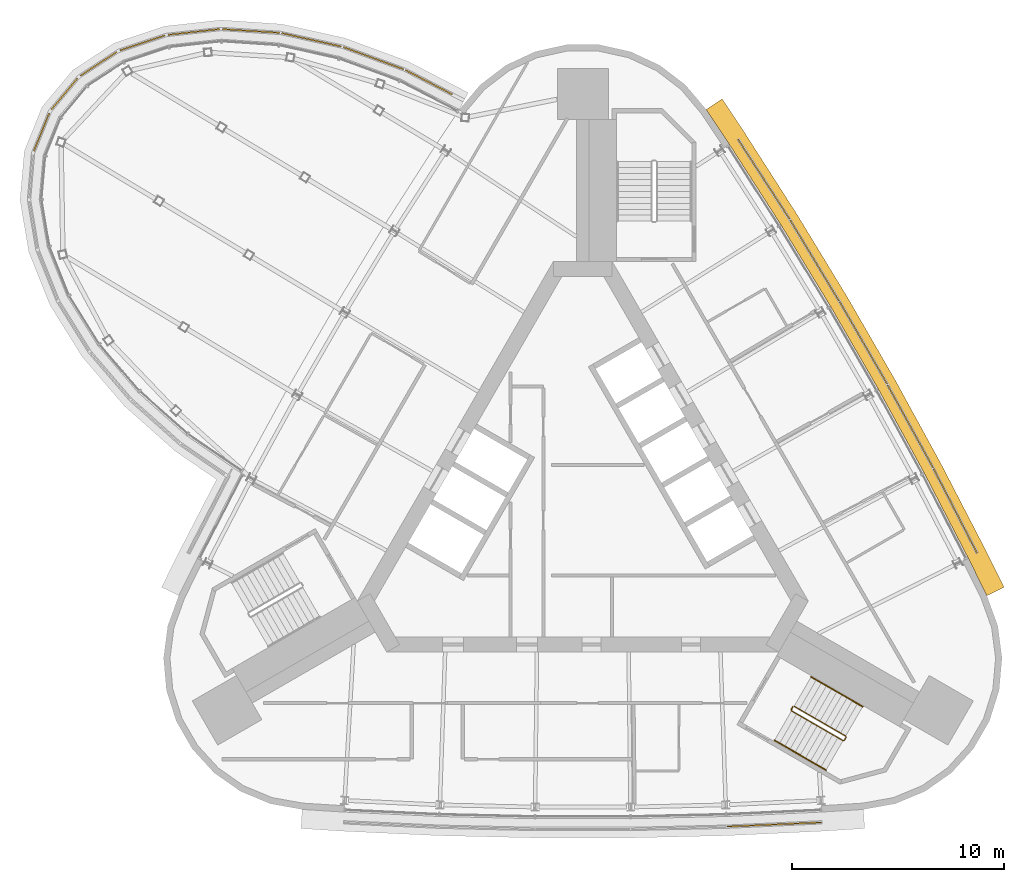
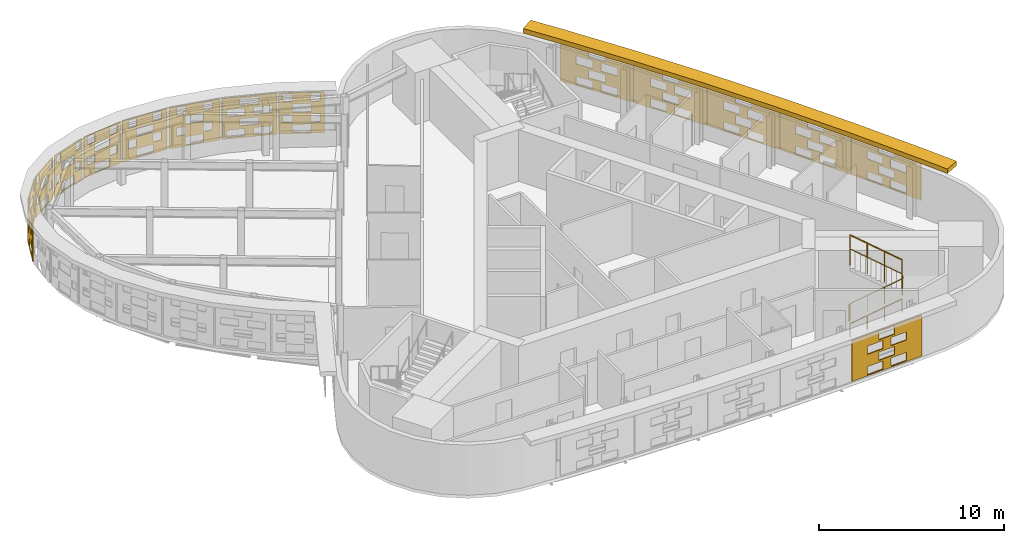
# One storey, part 13 of 13: 16 shading devices, 3 railings.
"""IFC4 building model written with IfcOpenShell, lengths in metres."""

from ifc_helpers import new_model, si_unit, direction, frame, origin, origin_2d, place, context, subcontext, project, spatial, polyline, circle, outline, extrude, material, layer, layer_set, material_profile, profile_set, type_object, element, save


model = new_model("IFC4")

# Units and contexts
model_context = context("Model", 3, precision=1e-05, world=origin(), true_north=direction((0.0, 1.0)))
body_context = subcontext(model_context, "Body", "Model", "MODEL_VIEW")
ifc_project = project(units=[si_unit("LENGTHUNIT", "METRE"), si_unit("AREAUNIT", "SQUARE_METRE"), si_unit("VOLUMEUNIT", "CUBIC_METRE"), si_unit("PLANEANGLEUNIT", "RADIAN"), si_unit("MASSUNIT", "GRAM", prefix="KILO")], contexts=[model_context])

# Site, building, storey
site_placement = place(None, origin())
site = spatial("IfcSite", under=ifc_project, at=site_placement, CompositionType="ELEMENT")
building_placement = place(site_placement, origin())
building = spatial("IfcBuilding", under=site, at=building_placement, Name="Noor Cloister Tower", CompositionType="ELEMENT")
storey_placement = place(building_placement, frame((0.0, 0.0, 270.60009765625)))
storey = spatial("IfcBuildingStorey", under=building, at=storey_placement, Name="L69", CompositionType="ELEMENT", Elevation=270.60009765625)

# Shading devices
ifc_material_1 = material(Name="Limestone", Category="masonry")
ifc_material_profile = material_profile(ifc_material_1, outline(polyline([(-2.22998046875, -1.35009765625), (2.22998046875, -1.35009765625), (2.22998046875, 1.35009765625), (-2.22998046875, 1.35009765625), (-2.22998046875, -1.35009765625)]), holes=[polyline([(-1.25, -1.282470703125), (-0.25, -1.282470703125), (-0.25, -0.742431640625), (-1.25, -0.742431640625), (-1.25, -1.282470703125)]), polyline([(0.25, -1.282470703125), (1.25, -1.282470703125), (1.25, -0.742431640625), (0.25, -0.742431640625), (0.25, -1.282470703125)]), polyline([(-0.5, -0.607421875), (0.5, -0.607421875), (0.5, -0.0673828125), (-0.5, -0.0673828125), (-0.5, -0.607421875)]), polyline([(-1.25, 0.0673828125), (-0.25, 0.0673828125), (-0.25, 0.607421875), (-1.25, 0.607421875), (-1.25, 0.0673828125)]), polyline([(0.25, 0.0673828125), (1.25, 0.0673828125), (1.25, 0.607421875), (0.25, 0.607421875), (0.25, 0.0673828125)]), polyline([(-0.5, 0.742431640625), (0.5, 0.742431640625), (0.5, 1.282470703125), (-0.5, 1.282470703125), (-0.5, 0.742431640625)])]), Name="Woven screen 35 percent open")
ifc_profile_set = profile_set([ifc_material_profile], Name="Limestone")
shading_device_type_1 = type_object("IfcShadingDeviceType", Name="SCREEN woven limestone 35 percent open", PredefinedType="USERDEFINED", material=ifc_profile_set)
shading_device_1_placement = place(storey_placement, frame((9.01708984375, -15.014404296875, 1.849853515625), z_axis=(0.044852774233, -0.998993607909, 0.0), x_axis=(0.998993607909, 0.044852774233, 0.0)))
element("IfcShadingDevice", 1, at=shading_device_1_placement, inside=storey, type_object=shading_device_type_1, Name="SCREEN L69 5", ObjectType="SCREEN", PredefinedType="USERDEFINED", context=body_context, shape_type="SweptSolid", body=[
    extrude(outline(polyline([(-2.22998046875, -1.35009765625), (2.22998046875, -1.35009765625), (2.22998046875, 1.35009765625), (-2.22998046875, 1.35009765625), (-2.22998046875, -1.35009765625)]), holes=[polyline([(-1.25, -1.282470703125), (-0.25, -1.282470703125), (-0.25, -0.742431640625), (-1.25, -0.742431640625), (-1.25, -1.282470703125)]), polyline([(0.25, -1.282470703125), (1.25, -1.282470703125), (1.25, -0.742431640625), (0.25, -0.742431640625), (0.25, -1.282470703125)]), polyline([(-0.5, -0.607421875), (0.5, -0.607421875), (0.5, -0.0673828125), (-0.5, -0.0673828125), (-0.5, -0.607421875)]), polyline([(-1.25, 0.0673828125), (-0.25, 0.0673828125), (-0.25, 0.607421875), (-1.25, 0.607421875), (-1.25, 0.0673828125)]), polyline([(0.25, 0.0673828125), (1.25, 0.0673828125), (1.25, 0.607421875), (0.25, 0.607421875), (0.25, 0.0673828125)]), polyline([(-0.5, 0.742431640625), (0.5, 0.742431640625), (0.5, 1.282470703125), (-0.5, 1.282470703125), (-0.5, 0.742431640625)])]), origin(), (0.0, 0.0, 1.0), 0.059814453125),
])
shading_device_2_placement = place(storey_placement, frame((17.51123046875, -0.3017578125, 1.849853515625), z_axis=(0.888674000225, 0.458539552628, 0.0), x_axis=(-0.458539552628, 0.888674000225, 0.0)))
element("IfcShadingDevice", 2, at=shading_device_2_placement, inside=storey, type_object=shading_device_type_1, Name="SCREEN L69 1", ObjectType="SCREEN", PredefinedType="USERDEFINED", context=body_context, shape_type="SweptSolid", body=[
    extrude(outline(polyline([(-2.22998046875, -1.35009765625), (2.22998046875, -1.35009765625), (2.22998046875, 1.35009765625), (-2.22998046875, 1.35009765625), (-2.22998046875, -1.35009765625)]), holes=[polyline([(-1.25, -1.282470703125), (-0.25, -1.282470703125), (-0.25, -0.742431640625), (-1.25, -0.742431640625), (-1.25, -1.282470703125)]), polyline([(0.25, -1.282470703125), (1.25, -1.282470703125), (1.25, -0.742431640625), (0.25, -0.742431640625), (0.25, -1.282470703125)]), polyline([(-0.5, -0.607421875), (0.5, -0.607421875), (0.5, -0.0673828125), (-0.5, -0.0673828125), (-0.5, -0.607421875)]), polyline([(-1.25, 0.0673828125), (-0.25, 0.0673828125), (-0.25, 0.607421875), (-1.25, 0.607421875), (-1.25, 0.0673828125)]), polyline([(0.25, 0.0673828125), (1.25, 0.0673828125), (1.25, 0.607421875), (0.25, 0.607421875), (0.25, 0.0673828125)]), polyline([(-0.5, 0.742431640625), (0.5, 0.742431640625), (0.5, 1.282470703125), (-0.5, 1.282470703125), (-0.5, 0.742431640625)])]), origin(), (0.0, 0.0, 1.0), 0.06005859375),
])
shading_device_3_placement = place(storey_placement, frame((15.3935546875, 3.679931640625, 1.849853515625), z_axis=(0.876645997325, 0.481135942718, 0.0), x_axis=(-0.481135942718, 0.876645997325, 0.0)))
element("IfcShadingDevice", 3, at=shading_device_3_placement, inside=storey, type_object=shading_device_type_1, Name="SCREEN L69 2", ObjectType="SCREEN", PredefinedType="USERDEFINED", context=body_context, shape_type="SweptSolid", body=[
    extrude(outline(polyline([(-2.22998046875, -1.35009765625), (2.22998046875, -1.35009765625), (2.22998046875, 1.35009765625), (-2.22998046875, 1.35009765625), (-2.22998046875, -1.35009765625)]), holes=[polyline([(-1.25, -1.282470703125), (-0.25, -1.282470703125), (-0.25, -0.742431640625), (-1.25, -0.742431640625), (-1.25, -1.282470703125)]), polyline([(0.25, -1.282470703125), (1.25, -1.282470703125), (1.25, -0.742431640625), (0.25, -0.742431640625), (0.25, -1.282470703125)]), polyline([(-0.5, -0.607421875), (0.5, -0.607421875), (0.5, -0.0673828125), (-0.5, -0.0673828125), (-0.5, -0.607421875)]), polyline([(-1.25, 0.0673828125), (-0.25, 0.0673828125), (-0.25, 0.607421875), (-1.25, 0.607421875), (-1.25, 0.0673828125)]), polyline([(0.25, 0.0673828125), (1.25, 0.0673828125), (1.25, 0.607421875), (0.25, 0.607421875), (0.25, 0.0673828125)]), polyline([(-0.5, 0.742431640625), (0.5, 0.742431640625), (0.5, 1.282470703125), (-0.5, 1.282470703125), (-0.5, 0.742431640625)])]), origin(), (0.0, 0.0, 1.0), 0.059814453125),
])
shading_device_4_placement = place(storey_placement, frame((13.183837890625, 7.61181640625, 1.849853515625), z_axis=(0.865982457891, 0.500074377092, 0.0), x_axis=(-0.500074377092, 0.865982457891, 0.0)))
element("IfcShadingDevice", 4, at=shading_device_4_placement, inside=storey, type_object=shading_device_type_1, Name="SCREEN L69 3", ObjectType="SCREEN", PredefinedType="USERDEFINED", context=body_context, shape_type="SweptSolid", body=[
    extrude(outline(polyline([(-2.22998046875, -1.35009765625), (2.22998046875, -1.35009765625), (2.22998046875, 1.35009765625), (-2.22998046875, 1.35009765625), (-2.22998046875, -1.35009765625)]), holes=[polyline([(-1.25, -1.282470703125), (-0.25, -1.282470703125), (-0.25, -0.742431640625), (-1.25, -0.742431640625), (-1.25, -1.282470703125)]), polyline([(0.25, -1.282470703125), (1.25, -1.282470703125), (1.25, -0.742431640625), (0.25, -0.742431640625), (0.25, -1.282470703125)]), polyline([(-0.5, -0.607421875), (0.5, -0.607421875), (0.5, -0.0673828125), (-0.5, -0.0673828125), (-0.5, -0.607421875)]), polyline([(-1.25, 0.0673828125), (-0.25, 0.0673828125), (-0.25, 0.607421875), (-1.25, 0.607421875), (-1.25, 0.0673828125)]), polyline([(0.25, 0.0673828125), (1.25, 0.0673828125), (1.25, 0.607421875), (0.25, 0.607421875), (0.25, 0.0673828125)]), polyline([(-0.5, 0.742431640625), (0.5, 0.742431640625), (0.5, 1.282470703125), (-0.5, 1.282470703125), (-0.5, 0.742431640625)])]), origin(), (0.0, 0.0, 1.0), 0.06005859375),
])
for number, where, z_axis, x_axis, name in (
    (5, (10.8837890625, 11.4912109375, 1.849853515625), (0.855690023312, 0.517488728384, 0.0), (-0.517488728384, 0.855690023312, 0.0), "SCREEN L69 4"),
    (6, (8.494384765625, 15.316162109375, 1.849853515625), (0.840116811995, 0.54240551454, 0.0), (-0.54240551454, 0.840116811995, 0.0), "SCREEN L69 5"),
):
    element("IfcShadingDevice", number, at=place(storey_placement, frame(where, z_axis=z_axis, x_axis=x_axis)), inside=storey, type_object=shading_device_type_1, Name=name, ObjectType="SCREEN", PredefinedType="USERDEFINED", context=body_context, shape_type="SweptSolid", body=[
        extrude(outline(polyline([(-2.22998046875, -1.35009765625), (2.22998046875, -1.35009765625), (2.22998046875, 1.35009765625), (-2.22998046875, 1.35009765625), (-2.22998046875, -1.35009765625)]), holes=[polyline([(-1.25, -1.282470703125), (-0.25, -1.282470703125), (-0.25, -0.742431640625), (-1.25, -0.742431640625), (-1.25, -1.282470703125)]), polyline([(0.25, -1.282470703125), (1.25, -1.282470703125), (1.25, -0.742431640625), (0.25, -0.742431640625), (0.25, -1.282470703125)]), polyline([(-0.5, -0.607421875), (0.5, -0.607421875), (0.5, -0.0673828125), (-0.5, -0.0673828125), (-0.5, -0.607421875)]), polyline([(-1.25, 0.0673828125), (-0.25, 0.0673828125), (-0.25, 0.607421875), (-1.25, 0.607421875), (-1.25, 0.0673828125)]), polyline([(0.25, 0.0673828125), (1.25, 0.0673828125), (1.25, 0.607421875), (0.25, 0.607421875), (0.25, 0.0673828125)]), polyline([(-0.5, 0.742431640625), (0.5, 0.742431640625), (0.5, 1.282470703125), (-0.5, 1.282470703125), (-0.5, 0.742431640625)])]), origin(), (0.0, 0.0, 1.0), 0.059814453125),
    ])
ifc_material_2 = material(Name="Limestone", Category="masonry")
ifc_layer = layer(ifc_material_2, 0.06005859375)
ifc_layer_set = layer_set([ifc_layer], Name="SCREEN woven limestone pod 35 percent open")
shading_device_type_2 = type_object("IfcShadingDeviceType", Name="SCREEN woven limestone pod 35 percent open", PredefinedType="USERDEFINED", material=ifc_layer_set)
shading_device_5_placement = place(storey_placement, frame((-7.25634765625, 19.86767578125, 1.849853515625), z_axis=(0.460198285861, 0.887816162103, 0.0), x_axis=(-0.887816162103, 0.460198285861, 0.0)))
element("IfcShadingDevice", 7, at=shading_device_5_placement, inside=storey, type_object=shading_device_type_2, Name="SCREEN L69 1", ObjectType="SCREEN", PredefinedType="USERDEFINED", context=body_context, shape_type="SweptSolid", body=[
    extrude(outline(polyline([(-1.24365234375, -1.35009765625), (1.24365234375, -1.35009765625), (1.24365234375, 1.35009765625), (-1.24365234375, 1.35009765625), (-1.24365234375, -1.35009765625)]), holes=[polyline([(-0.5, -1.282470703125), (0.5, -1.282470703125), (0.5, -0.742431640625), (-0.5, -0.742431640625), (-0.5, -1.282470703125)]), polyline([(-1.0, -0.607421875), (-0.5, -0.607421875), (-0.5, -0.0673828125), (-1.0, -0.0673828125), (-1.0, -0.607421875)]), polyline([(0.5, -0.607421875), (1.0, -0.607421875), (1.0, -0.0673828125), (0.5, -0.0673828125), (0.5, -0.607421875)]), polyline([(-0.5, 0.0673828125), (0.5, 0.0673828125), (0.5, 0.607421875), (-0.5, 0.607421875), (-0.5, 0.0673828125)]), polyline([(-1.0, 0.742431640625), (-0.5, 0.742431640625), (-0.5, 1.282470703125), (-1.0, 1.282470703125), (-1.0, 0.742431640625)]), polyline([(0.5, 0.742431640625), (1.0, 0.742431640625), (1.0, 1.282470703125), (0.5, 1.282470703125), (0.5, 0.742431640625)])]), origin(), (0.0, 0.0, 1.0), 0.06005859375),
])
shading_device_6_placement = place(storey_placement, frame((-9.86279296875, 21.001220703125, 1.849853515625), z_axis=(0.345328788842, 0.938481767323, 0.0), x_axis=(-0.938481767323, 0.345328788842, 0.0)))
element("IfcShadingDevice", 8, at=shading_device_6_placement, inside=storey, type_object=shading_device_type_2, Name="SCREEN L69 2", ObjectType="SCREEN", PredefinedType="USERDEFINED", context=body_context, shape_type="SweptSolid", body=[
    extrude(outline(polyline([(-1.50732421875, -1.35009765625), (1.50732421875, -1.35009765625), (1.50732421875, 1.35009765625), (-1.50732421875, 1.35009765625), (-1.50732421875, -1.35009765625)]), holes=[polyline([(-1.25, -1.25), (-0.25, -1.25), (-0.25, -0.775146484375), (-1.25, -0.775146484375), (-1.25, -1.25)]), polyline([(0.25, -1.25), (1.25, -1.25), (1.25, -0.775146484375), (0.25, -0.775146484375), (0.25, -1.25)]), polyline([(-0.5, -0.574951171875), (0.5, -0.574951171875), (0.5, -0.10009765625), (-0.5, -0.10009765625), (-0.5, -0.574951171875)]), polyline([(-1.25, 0.10009765625), (-0.25, 0.10009765625), (-0.25, 0.574951171875), (-1.25, 0.574951171875), (-1.25, 0.10009765625)]), polyline([(0.25, 0.10009765625), (1.25, 0.10009765625), (1.25, 0.574951171875), (0.25, 0.574951171875), (0.25, 0.10009765625)]), polyline([(-0.5, 0.775146484375), (0.5, 0.775146484375), (0.5, 1.25), (-0.5, 1.25), (-0.5, 0.775146484375)])]), origin(), (0.0, 0.0, 1.0), 0.06005859375),
])
shading_device_7_placement = place(storey_placement, frame((-12.77734375, 21.86279296875, 1.849853515625), z_axis=(0.219512195122, 0.975609756098, 0.0), x_axis=(-0.975609756098, 0.219512195122, 0.0)))
element("IfcShadingDevice", 9, at=shading_device_7_placement, inside=storey, type_object=shading_device_type_2, Name="SCREEN L69 3", ObjectType="SCREEN", PredefinedType="USERDEFINED", context=body_context, shape_type="SweptSolid", body=[
    extrude(outline(polyline([(-1.43798828125, -1.35009765625), (1.43798828125, -1.35009765625), (1.43798828125, 1.35009765625), (-1.43798828125, 1.35009765625), (-1.43798828125, -1.35009765625)]), holes=[polyline([(-0.5, -1.282470703125), (0.5, -1.282470703125), (0.5, -0.742431640625), (-0.5, -0.742431640625), (-0.5, -1.282470703125)]), polyline([(-1.0, -0.607421875), (-0.5, -0.607421875), (-0.5, -0.0673828125), (-1.0, -0.0673828125), (-1.0, -0.607421875)]), polyline([(0.5, -0.607421875), (1.0, -0.607421875), (1.0, -0.0673828125), (0.5, -0.0673828125), (0.5, -0.607421875)]), polyline([(-0.5, 0.0673828125), (0.5, 0.0673828125), (0.5, 0.607421875), (-0.5, 0.607421875), (-0.5, 0.0673828125)]), polyline([(-1.0, 0.742431640625), (-0.5, 0.742431640625), (-0.5, 1.282470703125), (-1.0, 1.282470703125), (-1.0, 0.742431640625)]), polyline([(0.5, 0.742431640625), (1.0, 0.742431640625), (1.0, 1.282470703125), (0.5, 1.282470703125), (0.5, 0.742431640625)])]), origin(), (0.0, 0.0, 1.0), 0.06005859375),
])
shading_device_8_placement = place(storey_placement, frame((-15.626708984375, 22.279541015625, 1.849853515625), z_axis=(0.064903515062, 0.997891544073, 0.0), x_axis=(-0.997891544073, 0.064903515062, 0.0)))
element("IfcShadingDevice", 10, at=shading_device_8_placement, inside=storey, type_object=shading_device_type_2, Name="SCREEN L69 4", ObjectType="SCREEN", PredefinedType="USERDEFINED", context=body_context, shape_type="SweptSolid", body=[
    extrude(outline(polyline([(-1.342041015625, -1.35009765625), (1.342041015625, -1.35009765625), (1.342041015625, 1.35009765625), (-1.342041015625, 1.35009765625), (-1.342041015625, -1.35009765625)]), holes=[polyline([(-0.5, -1.282470703125), (0.5, -1.282470703125), (0.5, -0.742431640625), (-0.5, -0.742431640625), (-0.5, -1.282470703125)]), polyline([(-1.0, -0.607421875), (-0.5, -0.607421875), (-0.5, -0.0673828125), (-1.0, -0.0673828125), (-1.0, -0.607421875)]), polyline([(0.5, -0.607421875), (1.0, -0.607421875), (1.0, -0.0673828125), (0.5, -0.0673828125), (0.5, -0.607421875)]), polyline([(-0.5, 0.0673828125), (0.5, 0.0673828125), (0.5, 0.607421875), (-0.5, 0.607421875), (-0.5, 0.0673828125)]), polyline([(-1.0, 0.742431640625), (-0.5, 0.742431640625), (-0.5, 1.282470703125), (-1.0, 1.282470703125), (-1.0, 0.742431640625)]), polyline([(0.5, 0.742431640625), (1.0, 0.742431640625), (1.0, 1.282470703125), (0.5, 1.282470703125), (0.5, 0.742431640625)])]), origin(), (0.0, 0.0, 1.0), 0.060302734375),
])
shading_device_9_placement = place(storey_placement, frame((-18.307373046875, 22.232421875, 1.849853515625), z_axis=(-0.109984423748, 0.993933310908, 0.0), x_axis=(-0.993933310908, -0.109984423748, 0.0)))
element("IfcShadingDevice", 11, at=shading_device_9_placement, inside=storey, type_object=shading_device_type_2, Name="SCREEN L69 5", ObjectType="SCREEN", PredefinedType="USERDEFINED", context=body_context, shape_type="SweptSolid", body=[
    extrude(outline(polyline([(-1.229736328125, -1.35009765625), (1.229736328125, -1.35009765625), (1.229736328125, 1.35009765625), (-1.229736328125, 1.35009765625), (-1.229736328125, -1.35009765625)]), holes=[polyline([(-0.5, -1.282470703125), (0.5, -1.282470703125), (0.5, -0.742431640625), (-0.5, -0.742431640625), (-0.5, -1.282470703125)]), polyline([(-1.0, -0.607421875), (-0.5, -0.607421875), (-0.5, -0.0673828125), (-1.0, -0.0673828125), (-1.0, -0.607421875)]), polyline([(0.5, -0.607421875), (1.0, -0.607421875), (1.0, -0.0673828125), (0.5, -0.0673828125), (0.5, -0.607421875)]), polyline([(-0.5, 0.0673828125), (0.5, 0.0673828125), (0.5, 0.607421875), (-0.5, 0.607421875), (-0.5, 0.0673828125)]), polyline([(-1.0, 0.742431640625), (-0.5, 0.742431640625), (-0.5, 1.282470703125), (-1.0, 1.282470703125), (-1.0, 0.742431640625)]), polyline([(0.5, 0.742431640625), (1.0, 0.742431640625), (1.0, 1.282470703125), (0.5, 1.282470703125), (0.5, 0.742431640625)])]), origin(), (0.0, 0.0, 1.0), 0.059814453125),
])
shading_device_10_placement = place(storey_placement, frame((-20.720458984375, 21.715576171875, 1.849853515625), z_axis=(-0.317448459736, 0.94827552716, 0.0), x_axis=(-0.94827552716, -0.317448459736, 0.0)))
element("IfcShadingDevice", 12, at=shading_device_10_placement, inside=storey, type_object=shading_device_type_2, Name="SCREEN L69 6", ObjectType="SCREEN", PredefinedType="USERDEFINED", context=body_context, shape_type="SweptSolid", body=[
    extrude(outline(polyline([(-1.1162109375, -1.35009765625), (1.1162109375, -1.35009765625), (1.1162109375, 1.35009765625), (-1.1162109375, 1.35009765625), (-1.1162109375, -1.35009765625)]), holes=[polyline([(-0.5, -1.282470703125), (0.5, -1.282470703125), (0.5, -0.742431640625), (-0.5, -0.742431640625), (-0.5, -1.282470703125)]), polyline([(0.60009765625, -0.607421875), (0.96630859375, -0.607421875), (0.96630859375, -0.0673828125), (0.60009765625, -0.0673828125), (0.60009765625, -0.607421875)]), polyline([(-0.96630859375, -0.607421875), (-0.60009765625, -0.607421875), (-0.60009765625, -0.0673828125), (-0.96630859375, -0.0673828125), (-0.96630859375, -0.607421875)]), polyline([(-0.5, 0.0673828125), (0.5, 0.0673828125), (0.5, 0.607421875), (-0.5, 0.607421875), (-0.5, 0.0673828125)]), polyline([(0.60009765625, 0.742431640625), (0.96630859375, 0.742431640625), (0.96630859375, 1.282470703125), (0.60009765625, 1.282470703125), (0.60009765625, 0.742431640625)]), polyline([(-0.96630859375, 0.742431640625), (-0.60009765625, 0.742431640625), (-0.60009765625, 1.282470703125), (-0.96630859375, 1.282470703125), (-0.96630859375, 0.742431640625)])]), origin(), (0.0, 0.0, 1.0), 0.06005859375),
])
shading_device_11_placement = place(storey_placement, frame((-22.773681640625, 20.7373046875, 1.849853515625), z_axis=(-0.547139346477, 0.837041537521, 0.0), x_axis=(-0.837041537521, -0.547139346477, 0.0)))
element("IfcShadingDevice", 13, at=shading_device_11_placement, inside=storey, type_object=shading_device_type_2, Name="SCREEN L69 7", ObjectType="SCREEN", PredefinedType="USERDEFINED", context=body_context, shape_type="SweptSolid", body=[
    extrude(outline(polyline([(-1.02099609375, -1.35009765625), (1.02099609375, -1.35009765625), (1.02099609375, 1.35009765625), (-1.02099609375, 1.35009765625), (-1.02099609375, -1.35009765625)]), holes=[polyline([(-0.5, -1.282470703125), (0.5, -1.282470703125), (0.5, -0.742431640625), (-0.5, -0.742431640625), (-0.5, -1.282470703125)]), polyline([(0.60009765625, -0.607421875), (0.87109375, -0.607421875), (0.87109375, -0.0673828125), (0.60009765625, -0.0673828125), (0.60009765625, -0.607421875)]), polyline([(-0.87109375, -0.607421875), (-0.60009765625, -0.607421875), (-0.60009765625, -0.0673828125), (-0.87109375, -0.0673828125), (-0.87109375, -0.607421875)]), polyline([(-0.5, 0.0673828125), (0.5, 0.0673828125), (0.5, 0.607421875), (-0.5, 0.607421875), (-0.5, 0.0673828125)]), polyline([(0.60009765625, 0.742431640625), (0.87109375, 0.742431640625), (0.87109375, 1.282470703125), (0.60009765625, 1.282470703125), (0.60009765625, 0.742431640625)]), polyline([(-0.87109375, 0.742431640625), (-0.60009765625, 0.742431640625), (-0.60009765625, 1.282470703125), (-0.87109375, 1.282470703125), (-0.87109375, 0.742431640625)])]), origin(), (0.0, 0.0, 1.0), 0.059814453125),
])
shading_device_12_placement = place(storey_placement, frame((-24.37744140625, 19.324462890625, 1.849853515625), z_axis=(-0.767222138414, 0.641381470209, 0.0), x_axis=(-0.641381470209, -0.767222138414, 0.0)))
element("IfcShadingDevice", 14, at=shading_device_12_placement, inside=storey, type_object=shading_device_type_2, Name="SCREEN L69 8", ObjectType="SCREEN", PredefinedType="USERDEFINED", context=body_context, shape_type="SweptSolid", body=[
    extrude(outline(polyline([(-0.9658203125, -1.35009765625), (0.9658203125, -1.35009765625), (0.9658203125, 1.35009765625), (-0.9658203125, 1.35009765625), (-0.9658203125, -1.35009765625)]), holes=[polyline([(-0.5, -1.282470703125), (0.5, -1.282470703125), (0.5, -0.742431640625), (-0.5, -0.742431640625), (-0.5, -1.282470703125)]), polyline([(0.60009765625, -0.607421875), (0.815673828125, -0.607421875), (0.815673828125, -0.0673828125), (0.60009765625, -0.0673828125), (0.60009765625, -0.607421875)]), polyline([(-0.815673828125, -0.607421875), (-0.60009765625, -0.607421875), (-0.60009765625, -0.0673828125), (-0.815673828125, -0.0673828125), (-0.815673828125, -0.607421875)]), polyline([(-0.5, 0.0673828125), (0.5, 0.0673828125), (0.5, 0.607421875), (-0.5, 0.607421875), (-0.5, 0.0673828125)]), polyline([(0.60009765625, 0.742431640625), (0.815673828125, 0.742431640625), (0.815673828125, 1.282470703125), (0.60009765625, 1.282470703125), (0.60009765625, 0.742431640625)]), polyline([(-0.815673828125, 0.742431640625), (-0.60009765625, 0.742431640625), (-0.60009765625, 1.282470703125), (-0.815673828125, 1.282470703125), (-0.815673828125, 0.742431640625)])]), origin(), (0.0, 0.0, 1.0), 0.06005859375),
])
shading_device_13_placement = place(storey_placement, frame((-25.451416015625, 17.5341796875, 1.849853515625), z_axis=(-0.926777682961, 0.375610338469, 0.0), x_axis=(-0.375610338469, -0.926777682961, 0.0)))
element("IfcShadingDevice", 15, at=shading_device_13_placement, inside=storey, type_object=shading_device_type_2, Name="SCREEN L69 9", ObjectType="SCREEN", PredefinedType="USERDEFINED", context=body_context, shape_type="SweptSolid", body=[
    extrude(outline(polyline([(-0.9658203125, -1.35009765625), (0.9658203125, -1.35009765625), (0.9658203125, 1.35009765625), (-0.9658203125, 1.35009765625), (-0.9658203125, -1.35009765625)]), holes=[polyline([(-0.5, -1.282470703125), (0.5, -1.282470703125), (0.5, -0.742431640625), (-0.5, -0.742431640625), (-0.5, -1.282470703125)]), polyline([(0.60009765625, -0.607421875), (0.815673828125, -0.607421875), (0.815673828125, -0.0673828125), (0.60009765625, -0.0673828125), (0.60009765625, -0.607421875)]), polyline([(-0.815673828125, -0.607421875), (-0.60009765625, -0.607421875), (-0.60009765625, -0.0673828125), (-0.815673828125, -0.0673828125), (-0.815673828125, -0.607421875)]), polyline([(-0.5, 0.0673828125), (0.5, 0.0673828125), (0.5, 0.607421875), (-0.5, 0.607421875), (-0.5, 0.0673828125)]), polyline([(0.60009765625, 0.742431640625), (0.815673828125, 0.742431640625), (0.815673828125, 1.282470703125), (0.60009765625, 1.282470703125), (0.60009765625, 0.742431640625)]), polyline([(-0.815673828125, 0.742431640625), (-0.60009765625, 0.742431640625), (-0.60009765625, 1.282470703125), (-0.815673828125, 1.282470703125), (-0.815673828125, 0.742431640625)])]), origin(), (0.0, 0.0, 1.0), 0.059814453125),
])
ifc_material_3 = material(Name="Limestone", Category="masonry")
shading_device_type_3 = type_object("IfcShadingDeviceType", Name="SUNSHADE limestone band 900", PredefinedType="USERDEFINED", material=ifc_material_3)
shading_device_14_placement = place(storey_placement, frame((0.0, 0.0, 3.2998046875)))
element("IfcShadingDevice", 16, at=shading_device_14_placement, inside=storey, type_object=shading_device_type_3, Name="SUNSHADE L69 3", ObjectType="SUNSHADE", PredefinedType="USERDEFINED", context=body_context, shape_type="SweptSolid", body=[
    extrude(outline(polyline([(19.827392578125, -3.873291015625), (18.947998046875, -2.100341796875), (16.872802734375, 1.91259765625), (14.703857421875, 5.879150390625), (12.443359375, 9.794189453125), (10.0927734375, 13.656005859375), (7.655029296875, 17.45947265625), (6.559326171875, 19.10791015625), (5.809814453125, 18.609619140625), (6.9013671875, 16.967529296875), (9.32958984375, 13.178955078125), (11.669189453125, 9.335205078125), (13.919189453125, 5.438232421875), (16.078125, 1.489990234375), (18.14501953125, -2.507080078125), (19.021240234375, -4.2734375), (19.827392578125, -3.873291015625)])), origin(), (0.0, 0.0, 1.0), 0.300048828125),
])

# Railings
ifc_material_4 = material(Name="Stainless steel", Category="steel")
railing_type_1 = type_object("IfcRailingType", Name="Stair guard 1100", PredefinedType="GUARDRAIL", material=ifc_material_4)
railing_1_placement = place(storey_placement, frame((9.805908203125, -9.628662109375, 0.0)))
element("IfcRailing", 17, at=railing_1_placement, inside=storey, type_object=railing_type_1, Name="Stair guard ST3 L69", PredefinedType="GUARDRAIL", context=body_context, shape_type="SweptSolid", body=[
    extrude(circle(Radius=0.02392578125, at=origin_2d()), frame((0.0, 0.0, 1.076171875), z_axis=(0.499112439033, 0.866537231285, 0.0), x_axis=(-0.866537231285, 0.499112439033, 0.0)), (0.0, 0.0, 1.0), 0.150146484375),
    extrude(circle(Radius=0.02392578125, at=origin_2d()), frame((0.074951171875, 0.130126953125, 1.076171875), z_axis=(-0.215214839654, -0.753251938789, 0.621525614518), x_axis=(0.961523947641, -0.274721127897, 0.0)), (0.0, 0.0, 1.0), 0.26318359375),
    extrude(circle(Radius=0.02392578125, at=origin_2d()), frame((0.018310546875, -0.068115234375, 1.23974609375), z_axis=(0.747693913401, -0.431738279637, 0.504535300807), x_axis=(0.500049511043, 0.865996816683, 0.0)), (0.0, 0.0, 1.0), 3.2431640625),
    extrude(circle(Radius=0.02392578125, at=origin_2d()), frame((2.443115234375, -1.46826171875, 2.8759765625), z_axis=(0.965948051503, 0.258736085224, 0.0), x_axis=(-0.258736085224, 0.965948051503, 0.0)), (0.0, 0.0, 1.0), 0.07080078125),
    extrude(circle(Radius=0.02392578125, at=origin_2d()), frame((2.511474609375, -1.449951171875, 2.8759765625), z_axis=(0.499816412211, 0.866131372301, 0.0), x_axis=(-0.866131372301, 0.499816412211, 0.0)), (0.0, 0.0, 1.0), 0.14990234375),
    extrude(circle(Radius=0.02392578125, at=origin_2d()), frame((2.58642578125, -1.320068359375, 2.8759765625), z_axis=(-0.102608300589, 0.383070988865, 0.918002262601), x_axis=(-0.965948051503, -0.258736085224, 0.0)), (0.0, 0.0, 1.0), 0.178466796875),
    extrude(circle(Radius=0.02392578125, at=origin_2d()), frame((2.568115234375, -1.251708984375, 3.03955078125), z_axis=(-0.74771821388, 0.431677027627, 0.504551698492), x_axis=(-0.49998411664, -0.866034573852, 0.0)), (0.0, 0.0, 1.0), 3.242919921875),
    extrude(circle(Radius=0.02099609375, at=origin_2d()), origin(), (0.0, 0.0, 1.0), 1.052001953125),
    extrude(circle(Radius=0.02099609375, at=origin_2d()), frame((0.074951171875, 0.130126953125, 0.0)), (0.0, 0.0, 1.0), 1.052001953125),
    extrude(circle(Radius=0.02099609375, at=origin_2d()), frame((0.018310546875, -0.068115234375, 0.16357421875)), (0.0, 0.0, 1.0), 1.052001953125),
    extrude(circle(Radius=0.02099609375, at=origin_2d()), frame((0.82666015625, -0.534912109375, 0.708984375)), (0.0, 0.0, 1.0), 1.052001953125),
    extrude(circle(Radius=0.02099609375, at=origin_2d()), frame((1.634765625, -1.00146484375, 1.25439453125)), (0.0, 0.0, 1.0), 1.052001953125),
    extrude(circle(Radius=0.02099609375, at=origin_2d()), frame((2.443115234375, -1.46826171875, 1.7998046875)), (0.0, 0.0, 1.0), 1.052001953125),
    extrude(circle(Radius=0.02099609375, at=origin_2d()), frame((2.511474609375, -1.449951171875, 1.7998046875)), (0.0, 0.0, 1.0), 1.052001953125),
    extrude(circle(Radius=0.02099609375, at=origin_2d()), frame((2.58642578125, -1.320068359375, 1.7998046875)), (0.0, 0.0, 1.0), 1.052001953125),
    extrude(circle(Radius=0.02099609375, at=origin_2d()), frame((2.568115234375, -1.251708984375, 1.963623046875)), (0.0, 0.0, 1.0), 1.052001953125),
    extrude(circle(Radius=0.02099609375, at=origin_2d()), frame((1.759765625, -0.78515625, 2.509033203125)), (0.0, 0.0, 1.0), 1.052001953125),
    extrude(circle(Radius=0.02099609375, at=origin_2d()), frame((0.95166015625, -0.318359375, 3.054443359375)), (0.0, 0.0, 1.0), 1.052001953125),
    extrude(circle(Radius=0.02099609375, at=origin_2d()), frame((0.143310546875, 0.148193359375, 3.599853515625)), (0.0, 0.0, 1.0), 1.052001953125),
])
ifc_material_5 = material(Name="Stainless steel", Category="steel")
railing_type_2 = type_object("IfcRailingType", Name="Stair handrail 900", PredefinedType="HANDRAIL", material=ifc_material_5)
railing_2_placement = place(storey_placement, frame((9.024169921875, -11.08251953125, 0.16357421875)))
element("IfcRailing", 18, at=railing_2_placement, inside=storey, type_object=railing_type_2, Name="Stair handrail ST3 L69 1", PredefinedType="HANDRAIL", context=body_context, shape_type="SweptSolid", body=[
    extrude(circle(Radius=0.02392578125, at=origin_2d()), frame((0.0, 0.0, 0.8759765625), z_axis=(0.74771821388, -0.431677027627, 0.504551698492), x_axis=(0.49998411664, 0.866034573852, 0.0)), (0.0, 0.0, 1.0), 3.242919921875),
    extrude(circle(Radius=0.02099609375, at=origin_2d()), origin(), (0.0, 0.0, 1.0), 0.851806640625),
    extrude(circle(Radius=0.02099609375, at=origin_2d()), frame((0.808349609375, -0.466552734375, 0.54541015625)), (0.0, 0.0, 1.0), 0.851806640625),
    extrude(circle(Radius=0.02099609375, at=origin_2d()), frame((1.616455078125, -0.933349609375, 1.0908203125)), (0.0, 0.0, 1.0), 0.851806640625),
    extrude(circle(Radius=0.02099609375, at=origin_2d()), frame((2.4248046875, -1.39990234375, 1.63623046875)), (0.0, 0.0, 1.0), 0.851806640625),
])
railing_3_placement = place(storey_placement, frame((13.174072265625, -9.49462890625, 1.963623046875)))
element("IfcRailing", 19, at=railing_3_placement, inside=storey, type_object=railing_type_2, Name="Stair handrail ST3 L69 2", PredefinedType="HANDRAIL", context=body_context, shape_type="SweptSolid", body=[
    extrude(circle(Radius=0.02392578125, at=origin_2d()), frame((0.0, 0.0, 0.8759765625), z_axis=(-0.74771821388, 0.431677027627, 0.504551698492), x_axis=(-0.49998411664, -0.866034573852, 0.0)), (0.0, 0.0, 1.0), 3.242919921875),
    extrude(circle(Radius=0.02099609375, at=origin_2d()), origin(), (0.0, 0.0, 1.0), 0.851806640625),
    extrude(circle(Radius=0.02099609375, at=origin_2d()), frame((-0.808349609375, 0.466552734375, 0.54541015625)), (0.0, 0.0, 1.0), 0.851806640625),
    extrude(circle(Radius=0.02099609375, at=origin_2d()), frame((-1.616455078125, 0.933349609375, 1.0908203125)), (0.0, 0.0, 1.0), 0.851806640625),
    extrude(circle(Radius=0.02099609375, at=origin_2d()), frame((-2.4248046875, 1.39990234375, 1.63623046875)), (0.0, 0.0, 1.0), 0.851806640625),
])

save(model, "model.ifc")
